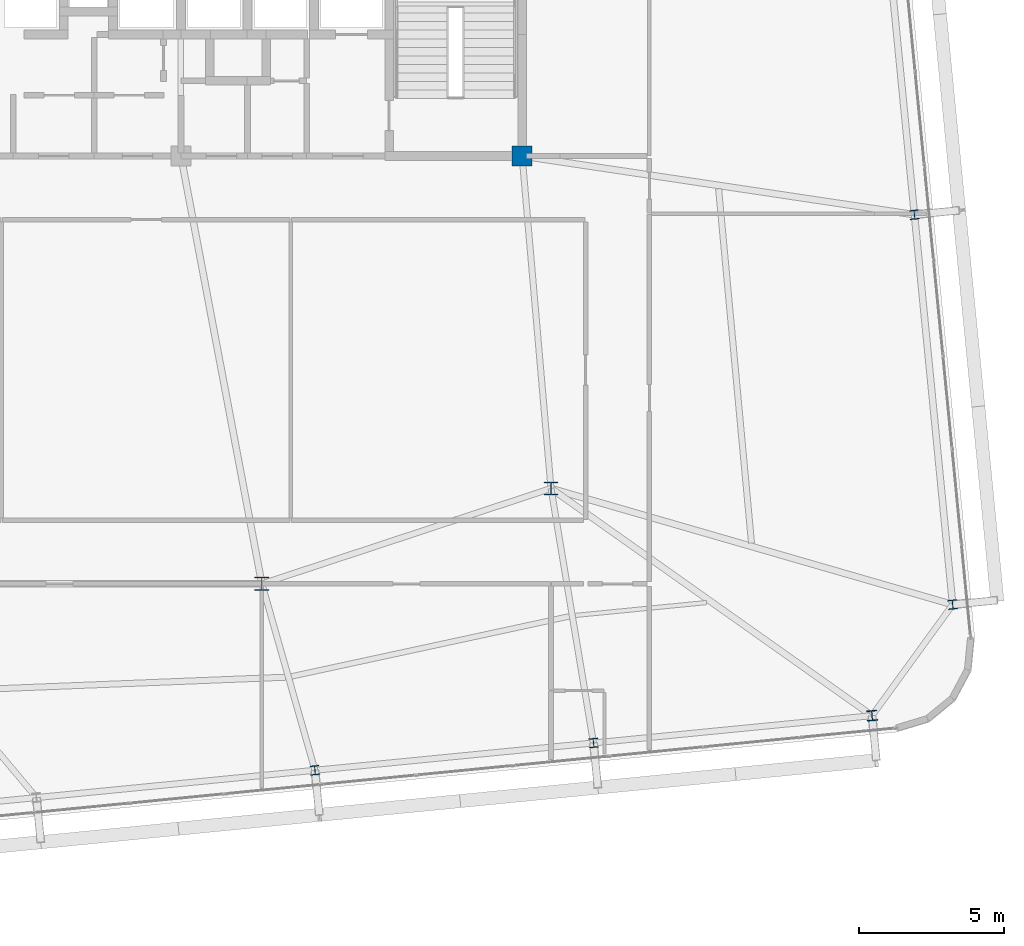
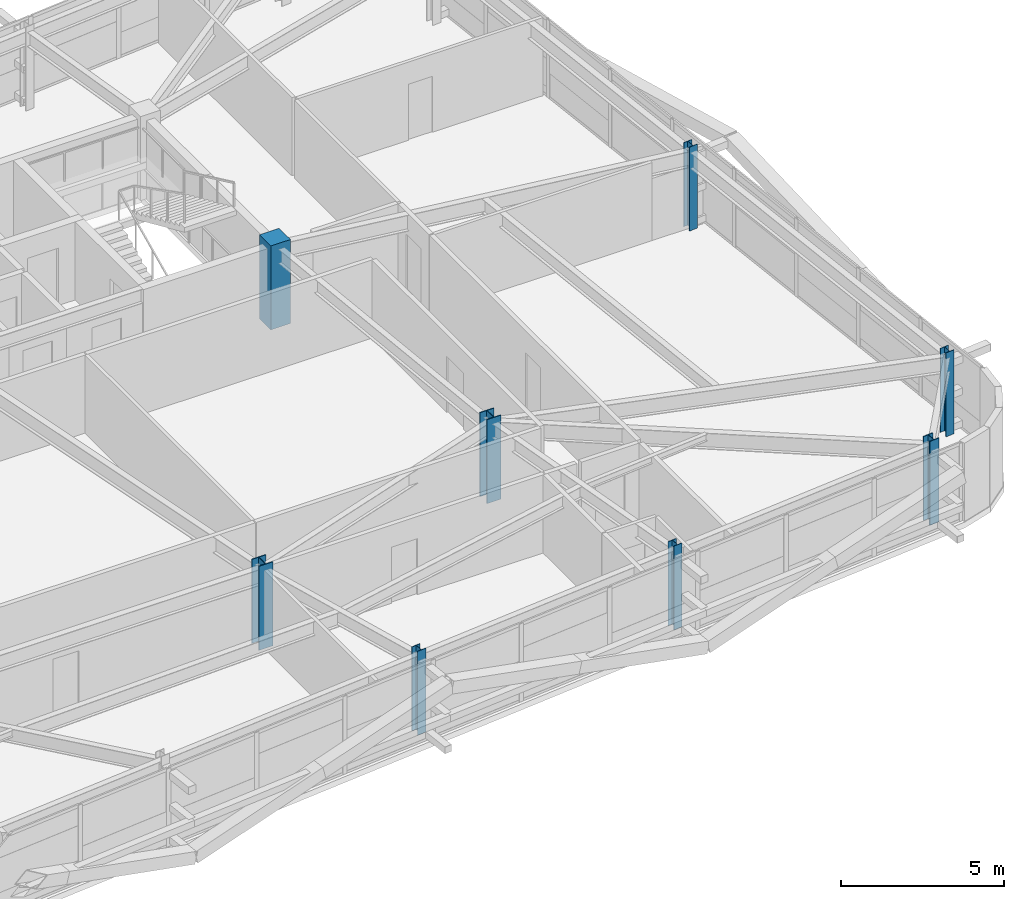
# One storey, part 2 of 53: 8 columns.
"""IFC4 building model written with IfcOpenShell, lengths in metres."""

from ifc_helpers import new_model, si_unit, direction, frame, origin, origin_2d, place, context, subcontext, project, spatial, rectangle, i_section, extrude, source, transform, mapped, material, material_profile, profile_set, type_object, element, save


model = new_model("IFC4")

# Units and contexts
model_context = context("Model", 3, precision=1e-05, world=origin(), true_north=direction((0.0, 1.0)))
body_context = subcontext(model_context, "Body", "Model", "MODEL_VIEW")
ifc_project = project(units=[si_unit("LENGTHUNIT", "METRE"), si_unit("AREAUNIT", "SQUARE_METRE"), si_unit("VOLUMEUNIT", "CUBIC_METRE"), si_unit("PLANEANGLEUNIT", "RADIAN"), si_unit("MASSUNIT", "GRAM", prefix="KILO")], contexts=[model_context])

# Site, building, storey
site_placement = place(None, origin())
site = spatial("IfcSite", under=ifc_project, at=site_placement, CompositionType="ELEMENT")
building_placement = place(site_placement, origin())
building = spatial("IfcBuilding", under=site, at=building_placement, Name="Taldren Reach Tower", CompositionType="ELEMENT")
storey_placement = place(building_placement, frame((0.0, 0.0, 80.85009765625)))
storey = spatial("IfcBuildingStorey", under=building, at=storey_placement, Name="L24", CompositionType="ELEMENT", Elevation=80.85009765625)

# Columns
ifc_material_1 = material(Name="Steel Gr 350 (350PLUS)", Category="steel")
ifc_material_profile_1 = material_profile(ifc_material_1, i_section(OverallWidth=0.5, OverallDepth=0.464111328125, WebThickness=0.02197265625, FlangeThickness=0.033935546875, at=origin_2d()), Name="500WC340")
ifc_profile_set_1 = profile_set([ifc_material_profile_1], Name="Steel Gr 350 (350PLUS)")
column_type_1 = type_object("IfcColumnType", Name="COL-WC500B", PredefinedType="COLUMN", material=ifc_profile_set_1)
shared_shape_1 = source(origin(), body_context, "Body", "SweptSolid", [
    extrude(i_section(OverallWidth=0.5, OverallDepth=0.464111328125, WebThickness=0.02197265625, FlangeThickness=0.033935546875, at=origin_2d()), origin(), (0.0, 0.0, 1.0), 3.14990234375),
])
for number, where, z_axis, x_axis, name in (
    (1, (42.0, 9.199951171875, 0.0), (0.0, 0.0, 1.0), (1.0, 0.0, 0.0), "Mega column MC-PJE L24"),
    (2, (52.0, 12.5, 0.0), (0.0, 0.0, 1.0), (1.0, 0.0, 0.0), "Mega column MC-SE L24"),
):
    element("IfcColumn", number, at=place(storey_placement, frame(where, z_axis=z_axis, x_axis=x_axis)), inside=storey, type_object=column_type_1, Name=name, PredefinedType="COLUMN", context=body_context, shape_type="MappedRepresentation", body=[
        mapped(shared_shape_1, transform((0.0, 0.0, 0.0), scale=1.0)),
    ])
ifc_material_2 = material(Name="Concrete S65 (65 MPa)", Category="concrete")
ifc_material_profile_2 = material_profile(ifc_material_2, rectangle(XDim=0.699951171875, YDim=0.699951171875, at=origin_2d()), Name="RC-700x700")
ifc_profile_set_2 = profile_set([ifc_material_profile_2], Name="Concrete S65 (65 MPa)")
column_type_2 = type_object("IfcColumnType", Name="COL-RC700", PredefinedType="COLUMN", material=ifc_profile_set_2)
shared_shape_2 = source(origin(), body_context, "Body", "SweptSolid", [
    extrude(rectangle(XDim=0.699951171875, YDim=0.699951171875, at=origin_2d()), origin(), (0.0, 0.0, 1.0), 3.14990234375),
])
column_1_placement = place(storey_placement, frame((51.0, 24.0, 0.0), z_axis=(0.0, 0.0, 1.0), x_axis=(1.0, 0.0, 0.0)))
element("IfcColumn", 3, at=column_1_placement, inside=storey, type_object=column_type_2, Name="Mega column MC-C4 L24", PredefinedType="COLUMN", context=body_context, shape_type="MappedRepresentation", body=[
    mapped(shared_shape_2, transform((0.0, 0.0, 0.0), scale=1.0)),
])
ifc_material_profile_3 = material_profile(ifc_material_1, i_section(OverallWidth=0.35009765625, OverallDepth=0.35595703125, WebThickness=0.01806640625, FlangeThickness=0.028076171875, at=origin_2d()), Name="350WC197")
ifc_profile_set_3 = profile_set([ifc_material_profile_3], Name="Steel Gr 350 (350PLUS)")
column_type_3 = type_object("IfcColumnType", Name="COL-WC350", PredefinedType="COLUMN", material=ifc_profile_set_3)
shared_shape_3 = source(origin(), body_context, "Body", "SweptSolid", [
    extrude(i_section(OverallWidth=0.35009765625, OverallDepth=0.35595703125, WebThickness=0.01806640625, FlangeThickness=0.028076171875, at=origin_2d()), origin(), (0.0, 0.0, 1.0), 3.14990234375),
])
column_2_placement = place(storey_placement, frame((63.103271484375, 4.64306640625, 0.0), z_axis=(0.0, 0.0, 1.0), x_axis=(0.995227399982, 0.097582899759, 0.0)))
element("IfcColumn", 4, at=column_2_placement, inside=storey, type_object=column_type_3, Name="Block B2 perimeter column S6 L24", PredefinedType="COLUMN", context=body_context, shape_type="MappedRepresentation", body=[
    mapped(shared_shape_3, transform((0.0, 0.0, 0.0), scale=1.0)),
])
ifc_material_profile_4 = material_profile(ifc_material_1, i_section(OverallWidth=0.306884765625, OverallDepth=0.31494140625, WebThickness=0.011962890625, FlangeThickness=0.018798828125, at=origin_2d()), Name="310UC118")
ifc_profile_set_4 = profile_set([ifc_material_profile_4], Name="Steel Gr 350 (350PLUS)")
column_type_4 = type_object("IfcColumnType", Name="COL-UC310B", PredefinedType="COLUMN", material=ifc_profile_set_4)
shared_shape_4 = source(origin(), body_context, "Body", "SweptSolid", [
    extrude(i_section(OverallWidth=0.306884765625, OverallDepth=0.31494140625, WebThickness=0.011962890625, FlangeThickness=0.018798828125, at=origin_2d()), origin(), (0.0, 0.0, 1.0), 3.14990234375),
])
for number, where, z_axis, x_axis, name in (
    (5, (43.83544921875, 2.75390625, 0.0), (0.0, 0.0, 1.0), (0.995227399982, 0.097582899759, 0.0), "Block B2 perimeter column S4 L24"),
    (6, (53.469482421875, 3.698486328125, 0.0), (0.0, 0.0, 1.0), (0.995227399982, 0.097582899759, 0.0), "Block B2 perimeter column S5 L24"),
    (7, (65.8916015625, 8.483642578125, 0.0), (0.0, 0.0, 1.0), (0.995227399982, 0.097582899759, 0.0), "Block B2 perimeter column E1 L24"),
    (8, (64.569580078125, 21.968994140625, 0.0), (0.0, 0.0, 1.0), (0.995227399982, 0.097582899759, 0.0), "Block B2 perimeter column E2 L24"),
):
    element("IfcColumn", number, at=place(storey_placement, frame(where, z_axis=z_axis, x_axis=x_axis)), inside=storey, type_object=column_type_4, Name=name, PredefinedType="COLUMN", context=body_context, shape_type="MappedRepresentation", body=[
        mapped(shared_shape_4, transform((0.0, 0.0, 0.0), scale=1.0)),
    ])

save(model, "model.ifc")
